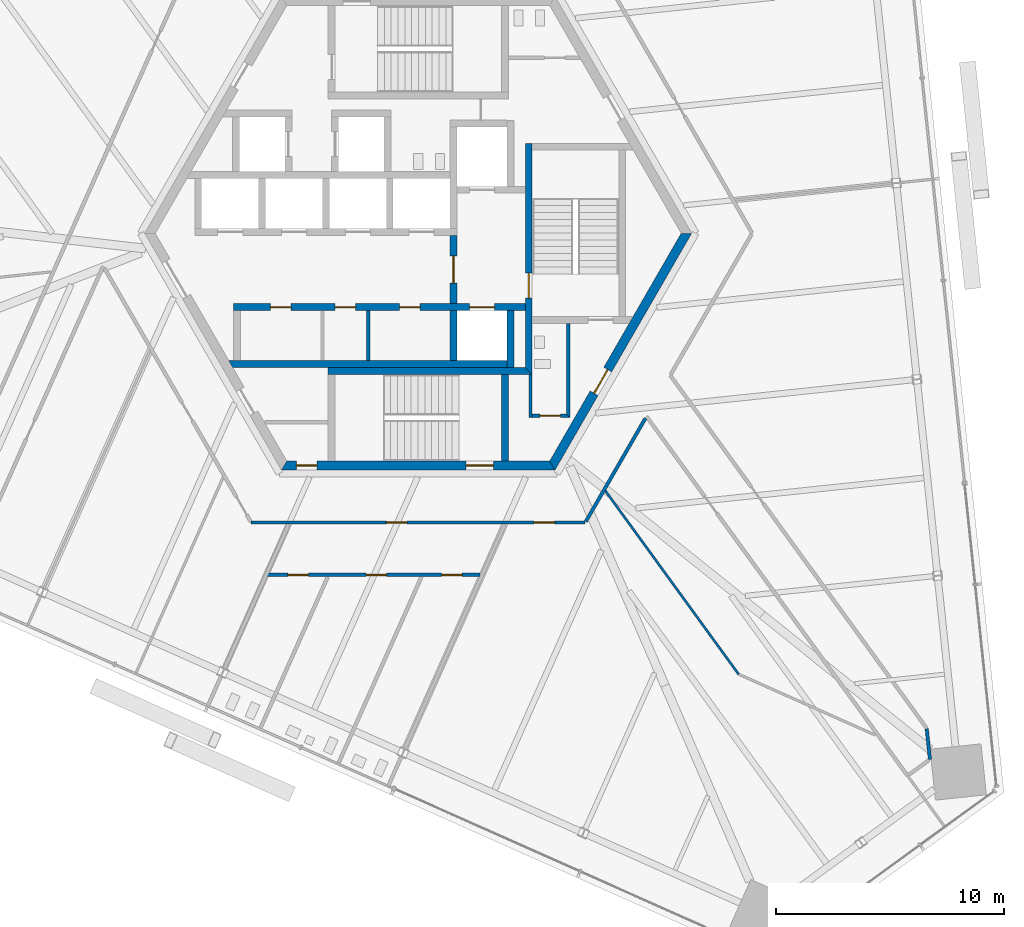
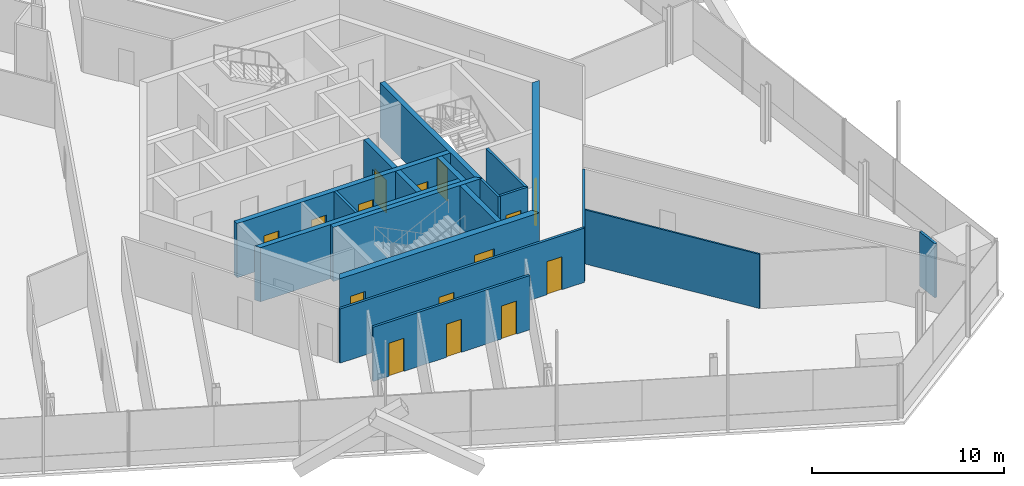
# One storey, part 12 of 21: 19 walls, 15 doors, 15 openings.
"""IFC4 building model written with IfcOpenShell, lengths in metres."""

from ifc_helpers import new_model, si_unit, direction, frame, frame_2d, origin, place, context, subcontext, project, spatial, polyline, rectangle, outline, extrude, source, transform, mapped, material, layer, layer_set, type_object, element, fill, save


model = new_model("IFC4")

# Units and contexts
model_context = context("Model", 3, precision=1e-05, world=origin(), true_north=direction((0.0, 1.0)))
body_context = subcontext(model_context, "Body", "Model", "MODEL_VIEW")
ifc_project = project(units=[si_unit("LENGTHUNIT", "METRE"), si_unit("AREAUNIT", "SQUARE_METRE"), si_unit("VOLUMEUNIT", "CUBIC_METRE"), si_unit("PLANEANGLEUNIT", "RADIAN"), si_unit("MASSUNIT", "GRAM", prefix="KILO")], contexts=[model_context])

# Site, building, storey
site_placement = place(None, origin())
site = spatial("IfcSite", under=ifc_project, at=site_placement, CompositionType="ELEMENT")
building_placement = place(site_placement, origin())
building = spatial("IfcBuilding", under=site, at=building_placement, Name="Triune Harvest Tower", CompositionType="ELEMENT")
storey_placement = place(building_placement, frame((0.0, 0.0, 72.89990234375)))
storey = spatial("IfcBuildingStorey", under=building, at=storey_placement, Name="L17", CompositionType="ELEMENT", Elevation=72.89990234375)

# Wall
ifc_material_1 = material(Name="Gypsum board on steel studs", Category="steel")
ifc_layer_1 = layer(ifc_material_1, 0.14990234375)
ifc_layer_set_1 = layer_set([ifc_layer_1], Name="Gypsum board on steel studs")
wall_type_1 = type_object("IfcWallType", Name="Fire Partition 150 mm", PredefinedType="PARTITIONING", material=ifc_layer_set_1)
wall_1_placement = place(storey_placement, frame((22.3125, -21.74267578125, 0.0), z_axis=(0.0, 0.0, 1.0), x_axis=(0.104525029296, -0.994522256287, 0.0)))
element("IfcWall", 1, at=wall_1_placement, inside=storey, type_object=wall_type_1, Name="Partition L17 002", PredefinedType="PARTITIONING", context=body_context, shape_type="SweptSolid", body=[
    extrude(rectangle(XDim=1.352294921875, YDim=0.14990234375, at=frame_2d((0.67626953125, 0.0))), origin(), (0.0, 0.0, 1.0), 3.440185546875),
])

# Wall, openings, doors
wall_2_placement = place(storey_placement, frame((-6.6748046875, -14.9921875, 0.0), z_axis=(0.0, 0.0, 1.0), x_axis=(1.0, 0.0, 0.0)))
wall_2 = element("IfcWall", 2, at=wall_2_placement, inside=storey, type_object=wall_type_1, Name="Partition L17 019", PredefinedType="PARTITIONING", context=body_context, shape_type="SweptSolid", body=[
    extrude(rectangle(XDim=9.391845703125, YDim=0.14990234375, at=frame_2d((4.69580078125, 0.0))), origin(), (0.0, 0.0, 1.0), 3.440185546875),
])
opening_1_placement = place(wall_2_placement, frame((0.949951171875, 0.0, 0.0)))
opening_1 = element("IfcOpeningElement", 3, at=opening_1_placement, cuts=wall_2, Name="Opening L17-017", PredefinedType="OPENING", context=body_context, shape_type="SweptSolid", body=[
    extrude(rectangle(XDim=0.89990234375, YDim=2.10009765625, at=frame_2d((0.449951171875, 1.050048828125))), frame((0.0, 0.0849609375, 0.0), z_axis=(0.0, -1.0, 0.0), x_axis=(1.0, 0.0, 0.0)), (0.0, 0.0, 1.0), 0.169921875),
])
opening_2_placement = place(wall_2_placement, frame((4.391845703125, 0.0, 0.0)))
opening_2 = element("IfcOpeningElement", 4, at=opening_2_placement, cuts=wall_2, Name="Opening L17-018", PredefinedType="OPENING", context=body_context, shape_type="SweptSolid", body=[
    extrude(rectangle(XDim=0.89990234375, YDim=2.10009765625, at=frame_2d((0.449951171875, 1.050048828125))), frame((0.0, 0.0849609375, 0.0), z_axis=(0.0, -1.0, 0.0), x_axis=(1.0, 0.0, 0.0)), (0.0, 0.0, 1.0), 0.169921875),
])
opening_3_placement = place(wall_2_placement, frame((7.704833984375, 0.0, 0.0)))
opening_3 = element("IfcOpeningElement", 5, at=opening_3_placement, cuts=wall_2, Name="Opening L17-019", PredefinedType="OPENING", context=body_context, shape_type="SweptSolid", body=[
    extrude(rectangle(XDim=0.89990234375, YDim=2.10009765625, at=frame_2d((0.449951171875, 1.050048828125))), frame((0.0, 0.0849609375, 0.0), z_axis=(0.0, -1.0, 0.0), x_axis=(1.0, 0.0, 0.0)), (0.0, 0.0, 1.0), 0.169921875),
])
ifc_material_2 = material(Name="Timber and steel door set", Category="steel")
door_type_1 = type_object("IfcDoorType", Name="Single leaf door FD30 left hand 900 x 2100", OperationType="SINGLE_SWING_LEFT", PredefinedType="DOOR", material=ifc_material_2)
door_1_placement = place(opening_2_placement, origin())
door_1 = element("IfcDoor", 6, at=door_1_placement, inside=storey, type_object=door_type_1, Name="Door L17-018 Men's WC 17.18", OperationType="SINGLE_SWING_LEFT", OverallHeight=2.10009765625, OverallWidth=0.89990234375, PredefinedType="DOOR", context=body_context, shape_type="SweptSolid", body=[
    extrude(rectangle(XDim=0.89990234375, YDim=2.10009765625, at=frame_2d((0.449951171875, 1.050048828125))), frame((0.0, 0.02490234375, 0.0), z_axis=(0.0, -1.0, 0.0), x_axis=(1.0, 0.0, 0.0)), (0.0, 0.0, 1.0), 0.050048828125),
])
fill(opening_2, door_1)
door_2_placement = place(opening_3_placement, origin())
door_2 = element("IfcDoor", 7, at=door_2_placement, inside=storey, type_object=door_type_1, Name="Door L17-019 Accessible WC 17.19", OperationType="SINGLE_SWING_LEFT", OverallHeight=2.10009765625, OverallWidth=0.89990234375, PredefinedType="DOOR", context=body_context, shape_type="SweptSolid", body=[
    extrude(rectangle(XDim=0.89990234375, YDim=2.10009765625, at=frame_2d((0.449951171875, 1.050048828125))), frame((0.0, 0.02490234375, 0.0), z_axis=(0.0, -1.0, 0.0), x_axis=(1.0, 0.0, 0.0)), (0.0, 0.0, 1.0), 0.050048828125),
])
fill(opening_3, door_2)
ifc_material_3 = material(Name="Timber and steel door set", Category="steel")
door_type_2 = type_object("IfcDoorType", Name="Single leaf door FD30 right hand 900 x 2100", OperationType="SINGLE_SWING_RIGHT", PredefinedType="DOOR", material=ifc_material_3)
door_3_placement = place(opening_1_placement, origin())
door_3 = element("IfcDoor", 8, at=door_3_placement, inside=storey, type_object=door_type_2, Name="Door L17-017 Women's WC 17.17", OperationType="SINGLE_SWING_RIGHT", OverallHeight=2.10009765625, OverallWidth=0.89990234375, PredefinedType="DOOR", context=body_context, shape_type="SweptSolid", body=[
    extrude(rectangle(XDim=0.89990234375, YDim=2.10009765625, at=frame_2d((0.449951171875, 1.050048828125))), frame((0.0, 0.02490234375, 0.0), z_axis=(0.0, -1.0, 0.0), x_axis=(1.0, 0.0, 0.0)), (0.0, 0.0, 1.0), 0.050048828125),
])
fill(opening_1, door_3)

# Walls
wall_3_placement = place(storey_placement, frame((7.352783203125, -12.64892578125, 0.0), z_axis=(0.0, 0.0, 1.0), x_axis=(0.500001374964, 0.866024609947, 0.0)))
element("IfcWall", 9, at=wall_3_placement, inside=storey, type_object=wall_type_1, Name="Partition L17 029", PredefinedType="PARTITIONING", context=body_context, shape_type="SweptSolid", body=[
    extrude(rectangle(XDim=5.22802734375, YDim=0.14990234375, at=frame_2d((2.614013671875, 0.0))), origin(), (0.0, 0.0, 1.0), 3.440185546875),
])
ifc_material_4 = material(Name="Gypsum board on steel studs", Category="steel")
ifc_layer_2 = layer(ifc_material_4, 0.10009765625)
ifc_layer_set_2 = layer_set([ifc_layer_2], Name="Gypsum board on steel studs")
wall_type_2 = type_object("IfcWallType", Name="Partition 100 mm", PredefinedType="PARTITIONING", material=ifc_layer_set_2)
wall_4_placement = place(storey_placement, frame((8.16650390625, -11.239990234375, 0.0), z_axis=(0.0, 0.0, 1.0), x_axis=(0.587780634403, -0.809020349448, 0.0)))
element("IfcWall", 10, at=wall_4_placement, inside=storey, type_object=wall_type_2, Name="Partition L17 007", PredefinedType="PARTITIONING", context=body_context, shape_type="SweptSolid", body=[
    extrude(rectangle(XDim=10.0244140625, YDim=0.10009765625, at=frame_2d((5.01220703125, 0.0))), origin(), (0.0, 0.0, 1.0), 3.440185546875),
])

# Wall, openings, doors
ifc_material_5 = material(Name="Concrete 70 MPa", Category="concrete")
ifc_layer_3 = layer(ifc_material_5, 0.39990234375)
ifc_layer_set_3 = layer_set([ifc_layer_3], Name="Concrete 70 MPa")
wall_type_3 = type_object("IfcWallType", Name="Core wall 400", PredefinedType="SHEAR", material=ifc_layer_set_3)
shared_shape_1 = source(origin(), body_context, "Body", "SweptSolid", [
    extrude(outline(polyline([(-0.115478515625, -0.199951171875), (11.884521484375, -0.199951171875), (11.653564453125, 0.199951171875), (0.115478515625, 0.199951171875), (-0.115478515625, -0.199951171875)])), origin(), (0.0, 0.0, 1.0), 3.440185546875),
])
wall_5_placement = place(storey_placement, frame((-5.884521484375, -10.1923828125, 0.0), z_axis=(0.0, 0.0, 1.0), x_axis=(1.0, 0.0, 0.0)))
wall_5 = element("IfcWall", 11, at=wall_5_placement, inside=storey, type_object=wall_type_3, Name="Hexagon 4 wall", PredefinedType="SHEAR", context=body_context, shape_type="MappedRepresentation", body=[
    mapped(shared_shape_1, transform((0.0, 0.0, 0.0), scale=1.0)),
])
opening_4_placement = place(wall_5_placement, frame((7.984619140625, 0.0, 0.0)))
opening_4 = element("IfcOpeningElement", 12, at=opening_4_placement, cuts=wall_5, Name="Opening CD-S2P", PredefinedType="OPENING", context=body_context, shape_type="SweptSolid", body=[
    extrude(rectangle(XDim=1.199951171875, YDim=2.10009765625, at=frame_2d((0.60009765625, 1.050048828125))), frame((0.0, 0.2099609375, 0.0), z_axis=(0.0, -1.0, 0.0), x_axis=(1.0, 0.0, 0.0)), (0.0, 0.0, 1.0), 0.419921875),
])
opening_5_placement = place(wall_5_placement, frame((0.534423828125, 0.0, 0.0)))
opening_5 = element("IfcOpeningElement", 13, at=opening_5_placement, cuts=wall_5, Name="Opening CD-SWS", PredefinedType="OPENING", context=body_context, shape_type="SweptSolid", body=[
    extrude(rectangle(XDim=0.89990234375, YDim=2.10009765625, at=frame_2d((0.449951171875, 1.050048828125))), frame((0.0, 0.2099609375, 0.0), z_axis=(0.0, -1.0, 0.0), x_axis=(1.0, 0.0, 0.0)), (0.0, 0.0, 1.0), 0.419921875),
])
ifc_material_6 = material(Name="Steel S235", Category="steel")
door_type_3 = type_object("IfcDoorType", Name="Riser door 900 FD120", OperationType="SINGLE_SWING_LEFT", PredefinedType="DOOR", material=ifc_material_6)
door_4_placement = place(opening_5_placement, frame((0.89990234375, 0.0, 0.0), z_axis=(0.0, 0.0, 1.0), x_axis=(-1.0, 0.0, 0.0)))
door_4 = element("IfcDoor", 14, at=door_4_placement, inside=storey, type_object=door_type_3, Name="Door CD-SWS", OperationType="SINGLE_SWING_RIGHT", OverallHeight=2.10009765625, OverallWidth=0.89990234375, PredefinedType="DOOR", context=body_context, shape_type="SweptSolid", body=[
    extrude(rectangle(XDim=0.89990234375, YDim=2.10009765625, at=frame_2d((0.449951171875, 1.050048828125))), frame((0.0, 0.02490234375, 0.0), z_axis=(0.0, -1.0, 0.0), x_axis=(1.0, 0.0, 0.0)), (0.0, 0.0, 1.0), 0.050048828125),
])
fill(opening_5, door_4)
ifc_material_7 = material(Name="Steel S235", Category="steel")
door_type_4 = type_object("IfcDoorType", Name="Stair door 1200 FD120", OperationType="SINGLE_SWING_LEFT", PredefinedType="DOOR", material=ifc_material_7)
door_5_placement = place(opening_4_placement, frame((1.199951171875, 0.0, 0.0), z_axis=(0.0, 0.0, 1.0), x_axis=(-1.0, 0.0, 0.0)))
door_5 = element("IfcDoor", 15, at=door_5_placement, inside=storey, type_object=door_type_4, Name="Door CD-S2P", OperationType="SINGLE_SWING_RIGHT", OverallHeight=2.10009765625, OverallWidth=1.199951171875, PredefinedType="DOOR", context=body_context, shape_type="SweptSolid", body=[
    extrude(rectangle(XDim=1.199951171875, YDim=2.10009765625, at=frame_2d((0.60009765625, 1.050048828125))), frame((0.0, 0.02490234375, 0.0), z_axis=(0.0, -1.0, 0.0), x_axis=(1.0, 0.0, 0.0)), (0.0, 0.0, 1.0), 0.050048828125),
])
fill(opening_4, door_5)

# Wall, opening, door
wall_6_placement = place(storey_placement, frame((5.884521484375, -10.1923828125, 0.0), z_axis=(0.0, 0.0, 1.0), x_axis=(0.499996592174, 0.866027371285, 0.0)))
wall_6 = element("IfcWall", 16, at=wall_6_placement, inside=storey, type_object=wall_type_3, Name="Hexagon 5 wall", PredefinedType="SHEAR", context=body_context, shape_type="MappedRepresentation", body=[
    mapped(shared_shape_1, transform((0.0, 0.0, 0.0), scale=1.0)),
])
opening_6_placement = place(wall_6_placement, frame((3.66455078125, 0.0, 0.0)))
opening_6 = element("IfcOpeningElement", 17, at=opening_6_placement, cuts=wall_6, Name="Opening CD-DP", PredefinedType="OPENING", context=body_context, shape_type="SweptSolid", body=[
    extrude(rectangle(XDim=1.199951171875, YDim=2.10009765625, at=frame_2d((0.60009765625, 1.050048828125))), frame((0.0, 0.2099609375, 0.0), z_axis=(0.0, -1.0, 0.0), x_axis=(1.0, 0.0, 0.0)), (0.0, 0.0, 1.0), 0.419921875),
])
door_6_placement = place(opening_6_placement, frame((1.199951171875, 0.0, 0.0), z_axis=(0.0, 0.0, 1.0), x_axis=(-1.0, 0.0, 0.0)))
door_6 = element("IfcDoor", 18, at=door_6_placement, inside=storey, type_object=door_type_4, Name="Door CD-DP", OperationType="SINGLE_SWING_RIGHT", OverallHeight=2.10009765625, OverallWidth=1.199951171875, PredefinedType="DOOR", context=body_context, shape_type="SweptSolid", body=[
    extrude(rectangle(XDim=1.199951171875, YDim=2.10009765625, at=frame_2d((0.60009765625, 1.050048828125))), frame((0.0, 0.02490234375, 0.0), z_axis=(0.0, -1.0, 0.0), x_axis=(1.0, 0.0, 0.0)), (0.0, 0.0, 1.0), 0.050048828125),
])
fill(opening_6, door_6)

# Wall
ifc_material_8 = material(Name="Concrete 70 MPa", Category="concrete")
ifc_layer_4 = layer(ifc_material_8, 0.300048828125)
ifc_layer_set_4 = layer_set([ifc_layer_4], Name="Concrete 70 MPa")
wall_type_4 = type_object("IfcWallType", Name="Core wall 300", PredefinedType="SHEAR", material=ifc_layer_set_4)
shared_shape_2 = source(origin(), body_context, "Body", "SweptSolid", [
    extrude(rectangle(XDim=2.5, YDim=0.300048828125, at=frame_2d((1.25, 0.0))), origin(), (0.0, 0.0, 1.0), 3.440185546875),
])
wall_7_placement = place(storey_placement, frame((4.050048828125, -5.889892578125, 0.0), z_axis=(0.0, 0.0, 1.0), x_axis=(0.0, 1.0, 0.0)))
element("IfcWall", 19, at=wall_7_placement, inside=storey, type_object=wall_type_4, Name="Ff2 east wall", PredefinedType="SHEAR", context=body_context, shape_type="MappedRepresentation", body=[
    mapped(shared_shape_2, transform((0.0, 0.0, 0.0), scale=1.0)),
])

# Wall, opening, door
shared_shape_3 = source(origin(), body_context, "Body", "SweptSolid", [
    extrude(rectangle(XDim=3.0, YDim=0.300048828125, at=frame_2d((1.5, 0.0))), origin(), (0.0, 0.0, 1.0), 3.440185546875),
])
wall_8_placement = place(storey_placement, frame((1.550048828125, -3.090087890625, 0.0), z_axis=(0.0, 0.0, 1.0), x_axis=(0.0, 1.0, 0.0)))
wall_8 = element("IfcWall", 20, at=wall_8_placement, inside=storey, type_object=wall_type_4, Name="Ff lobby west wall", PredefinedType="SHEAR", context=body_context, shape_type="MappedRepresentation", body=[
    mapped(shared_shape_3, transform((0.0, 0.0, 0.0), scale=1.0)),
])
opening_7_placement = place(wall_8_placement, frame((0.89990234375, 0.0, 0.0)))
opening_7 = element("IfcOpeningElement", 21, at=opening_7_placement, cuts=wall_8, Name="Opening CD-FL", PredefinedType="OPENING", context=body_context, shape_type="SweptSolid", body=[
    extrude(rectangle(XDim=1.199951171875, YDim=2.10009765625, at=frame_2d((0.60009765625, 1.050048828125))), frame((0.0, 0.16015625, 0.0), z_axis=(0.0, -1.0, 0.0), x_axis=(1.0, 0.0, 0.0)), (0.0, 0.0, 1.0), 0.320068359375),
])
ifc_material_9 = material(Name="Steel S235", Category="steel")
door_type_5 = type_object("IfcDoorType", Name="Firefighters' lobby door 1200 FD120", OperationType="SINGLE_SWING_LEFT", PredefinedType="DOOR", material=ifc_material_9)
door_7_placement = place(opening_7_placement, frame((1.199951171875, 0.0, 0.0), z_axis=(0.0, 0.0, 1.0), x_axis=(-1.0, 0.0, 0.0)))
door_7 = element("IfcDoor", 22, at=door_7_placement, inside=storey, type_object=door_type_5, Name="Door CD-FL", OperationType="SINGLE_SWING_RIGHT", OverallHeight=2.10009765625, OverallWidth=1.199951171875, PredefinedType="DOOR", context=body_context, shape_type="SweptSolid", body=[
    extrude(rectangle(XDim=1.199951171875, YDim=2.10009765625, at=frame_2d((0.60009765625, 1.050048828125))), frame((0.0, 0.02490234375, 0.0), z_axis=(0.0, -1.0, 0.0), x_axis=(1.0, 0.0, 0.0)), (0.0, 0.0, 1.0), 0.050048828125),
])
fill(opening_7, door_7)

# Wall, openings, doors
shared_shape_4 = source(origin(), body_context, "Body", "SweptSolid", [
    extrude(rectangle(XDim=12.800048828125, YDim=0.300048828125, at=frame_2d((6.39990234375, 0.0))), origin(), (0.0, 0.0, 1.0), 3.440185546875),
])
wall_9_placement = place(storey_placement, frame((-8.10009765625, -3.239990234375, 0.0), z_axis=(0.0, 0.0, 1.0), x_axis=(1.0, 0.0, 0.0)))
wall_9 = element("IfcWall", 23, at=wall_9_placement, inside=storey, type_object=wall_type_4, Name="South front wall", PredefinedType="SHEAR", context=body_context, shape_type="MappedRepresentation", body=[
    mapped(shared_shape_4, transform((0.0, 0.0, 0.0), scale=1.0)),
])
opening_8_placement = place(wall_9_placement, frame((1.612548828125, 0.0, 0.0)))
opening_8 = element("IfcOpeningElement", 24, at=opening_8_placement, cuts=wall_9, Name="Opening CD-RS1", PredefinedType="OPENING", context=body_context, shape_type="SweptSolid", body=[
    extrude(rectangle(XDim=0.89990234375, YDim=2.10009765625, at=frame_2d((0.449951171875, 1.050048828125))), frame((0.0, 0.16015625, 0.0), z_axis=(0.0, -1.0, 0.0), x_axis=(1.0, 0.0, 0.0)), (0.0, 0.0, 1.0), 0.320068359375),
])
opening_9_placement = place(wall_9_placement, frame((4.449951171875, 0.0, 0.0)))
opening_9 = element("IfcOpeningElement", 25, at=opening_9_placement, cuts=wall_9, Name="Opening CD-RS2", PredefinedType="OPENING", context=body_context, shape_type="SweptSolid", body=[
    extrude(rectangle(XDim=0.89990234375, YDim=2.10009765625, at=frame_2d((0.449951171875, 1.050048828125))), frame((0.0, 0.16015625, 0.0), z_axis=(0.0, -1.0, 0.0), x_axis=(1.0, 0.0, 0.0)), (0.0, 0.0, 1.0), 0.320068359375),
])
opening_10_placement = place(wall_9_placement, frame((7.28759765625, 0.0, 0.0)))
opening_10 = element("IfcOpeningElement", 26, at=opening_10_placement, cuts=wall_9, Name="Opening CD-RS3", PredefinedType="OPENING", context=body_context, shape_type="SweptSolid", body=[
    extrude(rectangle(XDim=0.89990234375, YDim=2.10009765625, at=frame_2d((0.449951171875, 1.050048828125))), frame((0.0, 0.16015625, 0.0), z_axis=(0.0, -1.0, 0.0), x_axis=(1.0, 0.0, 0.0)), (0.0, 0.0, 1.0), 0.320068359375),
])
opening_11_placement = place(wall_9_placement, frame((10.35009765625, 0.0, 0.0)))
opening_11 = element("IfcOpeningElement", 27, at=opening_11_placement, cuts=wall_9, Name="Opening LD-FF2-17", PredefinedType="OPENING", context=body_context, shape_type="SweptSolid", body=[
    extrude(rectangle(XDim=1.10009765625, YDim=2.10009765625, at=frame_2d((0.550048828125, 1.050048828125))), frame((0.0, 0.16015625, 0.0), z_axis=(0.0, -1.0, 0.0), x_axis=(1.0, 0.0, 0.0)), (0.0, 0.0, 1.0), 0.320068359375),
])
ifc_material_10 = material(Name="Stainless steel AISI 304", Category="steel")
door_type_6 = type_object("IfcDoorType", Name="Landing door 1100 x 2100", OperationType="DOUBLE_DOOR_SLIDING", PredefinedType="DOOR", material=ifc_material_10)
door_8_placement = place(opening_11_placement, origin())
door_8 = element("IfcDoor", 28, at=door_8_placement, inside=storey, type_object=door_type_6, Name="Door LD-FF2-17", OperationType="DOUBLE_DOOR_SLIDING", OverallHeight=2.10009765625, OverallWidth=1.10009765625, PredefinedType="DOOR", context=body_context, shape_type="SweptSolid", body=[
    extrude(rectangle(XDim=1.10009765625, YDim=2.10009765625, at=frame_2d((0.550048828125, 1.050048828125))), frame((0.0, 0.02490234375, 0.0), z_axis=(0.0, -1.0, 0.0), x_axis=(1.0, 0.0, 0.0)), (0.0, 0.0, 1.0), 0.050048828125),
])
fill(opening_11, door_8)
door_9_placement = place(opening_8_placement, origin())
door_9 = element("IfcDoor", 29, at=door_9_placement, inside=storey, type_object=door_type_3, Name="Door CD-RS1", OperationType="SINGLE_SWING_LEFT", OverallHeight=2.10009765625, OverallWidth=0.89990234375, PredefinedType="DOOR", context=body_context, shape_type="SweptSolid", body=[
    extrude(rectangle(XDim=0.89990234375, YDim=2.10009765625, at=frame_2d((0.449951171875, 1.050048828125))), frame((0.0, 0.02490234375, 0.0), z_axis=(0.0, -1.0, 0.0), x_axis=(1.0, 0.0, 0.0)), (0.0, 0.0, 1.0), 0.050048828125),
])
fill(opening_8, door_9)
door_10_placement = place(opening_9_placement, origin())
door_10 = element("IfcDoor", 30, at=door_10_placement, inside=storey, type_object=door_type_3, Name="Door CD-RS2", OperationType="SINGLE_SWING_LEFT", OverallHeight=2.10009765625, OverallWidth=0.89990234375, PredefinedType="DOOR", context=body_context, shape_type="SweptSolid", body=[
    extrude(rectangle(XDim=0.89990234375, YDim=2.10009765625, at=frame_2d((0.449951171875, 1.050048828125))), frame((0.0, 0.02490234375, 0.0), z_axis=(0.0, -1.0, 0.0), x_axis=(1.0, 0.0, 0.0)), (0.0, 0.0, 1.0), 0.050048828125),
])
fill(opening_9, door_10)
door_11_placement = place(opening_10_placement, origin())
door_11 = element("IfcDoor", 31, at=door_11_placement, inside=storey, type_object=door_type_3, Name="Door CD-RS3", OperationType="SINGLE_SWING_LEFT", OverallHeight=2.10009765625, OverallWidth=0.89990234375, PredefinedType="DOOR", context=body_context, shape_type="SweptSolid", body=[
    extrude(rectangle(XDim=0.89990234375, YDim=2.10009765625, at=frame_2d((0.449951171875, 1.050048828125))), frame((0.0, 0.02490234375, 0.0), z_axis=(0.0, -1.0, 0.0), x_axis=(1.0, 0.0, 0.0)), (0.0, 0.0, 1.0), 0.050048828125),
])
fill(opening_10, door_11)

# Walls
shared_shape_5 = source(origin(), body_context, "Body", "SweptSolid", [
    extrude(outline(polyline([(12.0, -0.14990234375), (-0.039794921875, -0.14990234375), (-0.212890625, 0.14990234375), (12.0, 0.14990234375), (12.0, -0.14990234375)])), origin(), (0.0, 0.0, 1.0), 3.440185546875),
])
wall_10_placement = place(storey_placement, frame((-8.10009765625, -5.739990234375, 0.0), z_axis=(0.0, 0.0, 1.0), x_axis=(1.0, 0.0, 0.0)))
element("IfcWall", 32, at=wall_10_placement, inside=storey, type_object=wall_type_4, Name="South back wall", PredefinedType="SHEAR", context=body_context, shape_type="MappedRepresentation", body=[
    mapped(shared_shape_5, transform((0.0, 0.0, 0.0), scale=1.0)),
])
shared_shape_6 = source(origin(), body_context, "Body", "SweptSolid", [
    extrude(rectangle(XDim=2.2001953125, YDim=0.300048828125, at=frame_2d((1.10009765625, 0.0))), origin(), (0.0, 0.0, 1.0), 3.440185546875),
])
wall_11_placement = place(storey_placement, frame((1.550048828125, -5.590087890625, 0.0), z_axis=(0.0, 0.0, 1.0), x_axis=(0.0, 1.0, 0.0)))
element("IfcWall", 33, at=wall_11_placement, inside=storey, type_object=wall_type_4, Name="Ff2 west wall", PredefinedType="SHEAR", context=body_context, shape_type="MappedRepresentation", body=[
    mapped(shared_shape_6, transform((0.0, 0.0, 0.0), scale=1.0)),
])

# Wall, opening, door
shared_shape_7 = source(origin(), body_context, "Body", "SweptSolid", [
    extrude(outline(polyline([(-0.14990234375, -0.14990234375), (9.989990234375, -0.14990234375), (9.989990234375, 0.14990234375), (0.14990234375, 0.14990234375), (-0.14990234375, -0.14990234375)])), origin(), (0.0, 0.0, 1.0), 3.440185546875),
])
wall_12_placement = place(storey_placement, frame((4.85009765625, -6.0400390625, 0.0), z_axis=(0.0, 0.0, 1.0), x_axis=(0.0, 1.0, 0.0)))
wall_12 = element("IfcWall", 34, at=wall_12_placement, inside=storey, type_object=wall_type_4, Name="Stair e west wall", PredefinedType="SHEAR", context=body_context, shape_type="MappedRepresentation", body=[
    mapped(shared_shape_7, transform((0.0, 0.0, 0.0), scale=1.0)),
])
opening_12_placement = place(wall_12_placement, frame((3.18994140625, 0.0, 0.0)))
opening_12 = element("IfcOpeningElement", 35, at=opening_12_placement, cuts=wall_12, Name="Opening CD-S3L", PredefinedType="OPENING", context=body_context, shape_type="SweptSolid", body=[
    extrude(rectangle(XDim=1.10009765625, YDim=2.10009765625, at=frame_2d((0.550048828125, 1.050048828125))), frame((0.0, 0.16015625, 0.0), z_axis=(0.0, -1.0, 0.0), x_axis=(1.0, 0.0, 0.0)), (0.0, 0.0, 1.0), 0.320068359375),
])
ifc_material_11 = material(Name="Steel S235", Category="steel")
door_type_7 = type_object("IfcDoorType", Name="Stair door 1100 FD120", OperationType="SINGLE_SWING_LEFT", PredefinedType="DOOR", material=ifc_material_11)
door_12_placement = place(opening_12_placement, frame((1.10009765625, 0.0, 0.0), z_axis=(0.0, 0.0, 1.0), x_axis=(-1.0, 0.0, 0.0)))
door_12 = element("IfcDoor", 36, at=door_12_placement, inside=storey, type_object=door_type_7, Name="Door CD-S3L", OperationType="SINGLE_SWING_RIGHT", OverallHeight=2.10009765625, OverallWidth=1.10009765625, PredefinedType="DOOR", context=body_context, shape_type="SweptSolid", body=[
    extrude(rectangle(XDim=1.10009765625, YDim=2.10009765625, at=frame_2d((0.550048828125, 1.050048828125))), frame((0.0, 0.02490234375, 0.0), z_axis=(0.0, -1.0, 0.0), x_axis=(1.0, 0.0, 0.0)), (0.0, 0.0, 1.0), 0.050048828125),
])
fill(opening_12, door_12)

# Walls
shared_shape_8 = source(origin(), body_context, "Body", "SweptSolid", [
    extrude(outline(polyline([(0.0, -0.14990234375), (8.949951171875, -0.14990234375), (8.64990234375, 0.14990234375), (0.0, 0.14990234375), (0.0, -0.14990234375)])), origin(), (0.0, 0.0, 1.0), 3.440185546875),
])
wall_13_placement = place(storey_placement, frame((-3.949951171875, -6.0400390625, 0.0), z_axis=(0.0, 0.0, 1.0), x_axis=(1.0, 0.0, 0.0)))
element("IfcWall", 37, at=wall_13_placement, inside=storey, type_object=wall_type_4, Name="Stair s north wall", PredefinedType="SHEAR", context=body_context, shape_type="MappedRepresentation", body=[
    mapped(shared_shape_8, transform((0.0, 0.0, 0.0), scale=1.0)),
])
shared_shape_9 = source(origin(), body_context, "Body", "SweptSolid", [
    extrude(outline(polyline([(3.800048828125, -0.14990234375), (-0.00439453125, -0.14990234375), (-0.00439453125, 0.14990234375), (3.800048828125, 0.14990234375), (3.800048828125, -0.14990234375)])), origin(), (0.0, 0.0, 1.0), 3.440185546875),
])
wall_14_placement = place(storey_placement, frame((3.800048828125, -9.989990234375, 0.0), z_axis=(0.0, 0.0, 1.0), x_axis=(0.0, 1.0, 0.0)))
element("IfcWall", 38, at=wall_14_placement, inside=storey, type_object=wall_type_4, Name="Stair s east wall", PredefinedType="SHEAR", context=body_context, shape_type="MappedRepresentation", body=[
    mapped(shared_shape_9, transform((0.0, 0.0, 0.0), scale=1.0)),
])
ifc_material_12 = material(Name="Concrete masonry unit", Category="masonry")
ifc_layer_5 = layer(ifc_material_12, 0.14990234375)
ifc_layer_set_5 = layer_set([ifc_layer_5], Name="Concrete masonry unit")
wall_type_5 = type_object("IfcWallType", Name="Block partition 150", PredefinedType="PARTITIONING", material=ifc_layer_set_5)
shared_shape_10 = source(origin(), body_context, "Body", "SweptSolid", [
    extrude(rectangle(XDim=2.2001953125, YDim=0.14990234375, at=frame_2d((1.10009765625, 0.0))), origin(), (0.0, 0.0, 1.0), 3.440185546875),
])
wall_15_placement = place(storey_placement, frame((-2.199951171875, -5.590087890625, 0.0), z_axis=(0.0, 0.0, 1.0), x_axis=(0.0, 1.0, 0.0)))
element("IfcWall", 39, at=wall_15_placement, inside=storey, type_object=wall_type_5, Name="Row s part 2 wall", PredefinedType="PARTITIONING", context=body_context, shape_type="MappedRepresentation", body=[
    mapped(shared_shape_10, transform((0.0, 0.0, 0.0), scale=1.0)),
])

# Wall, opening, door
ifc_material_13 = material(Name="Concrete masonry unit", Category="masonry")
ifc_layer_6 = layer(ifc_material_13, 0.14990234375)
ifc_layer_set_6 = layer_set([ifc_layer_6], Name="Concrete masonry unit")
wall_type_6 = type_object("IfcWallType", Name="Block partition 150 unrated", PredefinedType="PARTITIONING", material=ifc_layer_set_6)
shared_shape_11 = source(origin(), body_context, "Body", "SweptSolid", [
    extrude(outline(polyline([(0.0, -0.074951171875), (1.64990234375, -0.074951171875), (1.5, 0.074951171875), (0.0, 0.074951171875), (0.0, -0.074951171875)])), origin(), (0.0, 0.0, 1.0), 3.440185546875),
])
wall_16_placement = place(storey_placement, frame((5.0, -8.0, 0.0), z_axis=(0.0, 0.0, 1.0), x_axis=(1.0, 0.0, 0.0)))
wall_16 = element("IfcWall", 40, at=wall_16_placement, inside=storey, type_object=wall_type_6, Name="Wc acc south wall", PredefinedType="PARTITIONING", context=body_context, shape_type="MappedRepresentation", body=[
    mapped(shared_shape_11, transform((0.0, 0.0, 0.0), scale=1.0)),
])
opening_13_placement = place(wall_16_placement, frame((0.33740234375, 0.0, 0.0)))
opening_13 = element("IfcOpeningElement", 41, at=opening_13_placement, cuts=wall_16, Name="Opening CD-WA", PredefinedType="OPENING", context=body_context, shape_type="SweptSolid", body=[
    extrude(rectangle(XDim=0.89990234375, YDim=2.10009765625, at=frame_2d((0.449951171875, 1.050048828125))), frame((0.0, 0.0849609375, 0.0), z_axis=(0.0, -1.0, 0.0), x_axis=(1.0, 0.0, 0.0)), (0.0, 0.0, 1.0), 0.169921875),
])
ifc_material_14 = material(Name="Timber C24", Category="wood")
door_type_8 = type_object("IfcDoorType", Name="WC door 900", OperationType="SINGLE_SWING_LEFT", PredefinedType="DOOR", material=ifc_material_14)
door_13_placement = place(opening_13_placement, origin())
door_13 = element("IfcDoor", 42, at=door_13_placement, inside=storey, type_object=door_type_8, Name="Door CD-WA", OperationType="SINGLE_SWING_LEFT", OverallHeight=2.10009765625, OverallWidth=0.89990234375, PredefinedType="DOOR", context=body_context, shape_type="SweptSolid", body=[
    extrude(rectangle(XDim=0.89990234375, YDim=2.10009765625, at=frame_2d((0.449951171875, 1.050048828125))), frame((0.0, 0.02490234375, 0.0), z_axis=(0.0, -1.0, 0.0), x_axis=(1.0, 0.0, 0.0)), (0.0, 0.0, 1.0), 0.050048828125),
])
fill(opening_13, door_13)

# Walls
shared_shape_12 = source(origin(), body_context, "Body", "SweptSolid", [
    extrude(outline(polyline([(-0.074951171875, -0.074951171875), (4.050048828125, -0.074951171875), (4.050048828125, 0.074951171875), (0.074951171875, 0.074951171875), (-0.074951171875, -0.074951171875)])), origin(), (0.0, 0.0, 1.0), 3.440185546875),
])
wall_17_placement = place(storey_placement, frame((6.574951171875, -8.0, 0.0), z_axis=(0.0, 0.0, 1.0), x_axis=(0.0, 1.0, 0.0)))
element("IfcWall", 43, at=wall_17_placement, inside=storey, type_object=wall_type_6, Name="Wc acc east wall", PredefinedType="PARTITIONING", context=body_context, shape_type="MappedRepresentation", body=[
    mapped(shared_shape_12, transform((0.0, 0.0, 0.0), scale=1.0)),
])
shared_shape_13 = source(origin(), body_context, "Body", "SweptSolid", [
    extrude(rectangle(XDim=1.885009765625, YDim=0.14990234375, at=frame_2d((0.9423828125, 0.0))), origin(), (0.0, 0.0, 1.0), 3.440185546875),
])
wall_18_placement = place(storey_placement, frame((4.925048828125, -8.074951171875, 0.0), z_axis=(0.0, 0.0, 1.0), x_axis=(0.0, 1.0, 0.0)))
element("IfcWall", 44, at=wall_18_placement, inside=storey, type_object=wall_type_6, Name="Wc acc west wall", PredefinedType="PARTITIONING", context=body_context, shape_type="MappedRepresentation", body=[
    mapped(shared_shape_13, transform((0.0, 0.0, 0.0), scale=1.0)),
])

# Wall, openings, doors
shared_shape_14 = source(origin(), body_context, "Body", "SweptSolid", [
    extrude(rectangle(XDim=14.65576171875, YDim=0.14990234375, at=frame_2d((7.327880859375, 0.0))), origin(), (0.0, 0.0, 1.0), 3.440185546875),
])
wall_19_placement = place(storey_placement, frame((-7.327880859375, -12.6923828125, 0.0), z_axis=(0.0, 0.0, 1.0), x_axis=(1.0, 0.0, 0.0)))
wall_19 = element("IfcWall", 45, at=wall_19_placement, inside=storey, type_object=wall_type_1, Name="Partition L17 020", PredefinedType="PARTITIONING", context=body_context, shape_type="MappedRepresentation", body=[
    mapped(shared_shape_14, transform((0.0, 0.0, 0.0), scale=1.0)),
])
opening_14_placement = place(wall_19_placement, frame((5.927001953125, 0.0, 0.0)))
opening_14 = element("IfcOpeningElement", 46, at=opening_14_placement, cuts=wall_19, Name="Opening L17-016", PredefinedType="OPENING", context=body_context, shape_type="SweptSolid", body=[
    extrude(rectangle(XDim=0.89990234375, YDim=2.10009765625, at=frame_2d((0.449951171875, 1.050048828125))), frame((0.0, 0.0849609375, 0.0), z_axis=(0.0, -1.0, 0.0), x_axis=(1.0, 0.0, 0.0)), (0.0, 0.0, 1.0), 0.169921875),
])
opening_15_placement = place(wall_19_placement, frame((12.408935546875, 0.0, 0.0)))
opening_15 = element("IfcOpeningElement", 47, at=opening_15_placement, cuts=wall_19, Name="Opening L17-020", PredefinedType="OPENING", context=body_context, shape_type="SweptSolid", body=[
    extrude(rectangle(XDim=0.89990234375, YDim=2.10009765625, at=frame_2d((0.449951171875, 1.050048828125))), frame((0.0, 0.0849609375, 0.0), z_axis=(0.0, -1.0, 0.0), x_axis=(1.0, 0.0, 0.0)), (0.0, 0.0, 1.0), 0.169921875),
])
door_14_placement = place(opening_15_placement, origin())
door_14 = element("IfcDoor", 48, at=door_14_placement, inside=storey, type_object=door_type_1, Name="Door L17-020 Office 17.20", OperationType="SINGLE_SWING_LEFT", OverallHeight=2.10009765625, OverallWidth=0.89990234375, PredefinedType="DOOR", context=body_context, shape_type="SweptSolid", body=[
    extrude(rectangle(XDim=0.89990234375, YDim=2.10009765625, at=frame_2d((0.449951171875, 1.050048828125))), frame((0.0, 0.02490234375, 0.0), z_axis=(0.0, -1.0, 0.0), x_axis=(1.0, 0.0, 0.0)), (0.0, 0.0, 1.0), 0.050048828125),
])
fill(opening_15, door_14)
door_15_placement = place(opening_14_placement, origin())
door_15 = element("IfcDoor", 49, at=door_15_placement, inside=storey, type_object=door_type_2, Name="Door L17-016 WC lobby 17.16", OperationType="SINGLE_SWING_RIGHT", OverallHeight=2.10009765625, OverallWidth=0.89990234375, PredefinedType="DOOR", context=body_context, shape_type="SweptSolid", body=[
    extrude(rectangle(XDim=0.89990234375, YDim=2.10009765625, at=frame_2d((0.449951171875, 1.050048828125))), frame((0.0, 0.02490234375, 0.0), z_axis=(0.0, -1.0, 0.0), x_axis=(1.0, 0.0, 0.0)), (0.0, 0.0, 1.0), 0.050048828125),
])
fill(opening_14, door_15)

save(model, "model.ifc")
